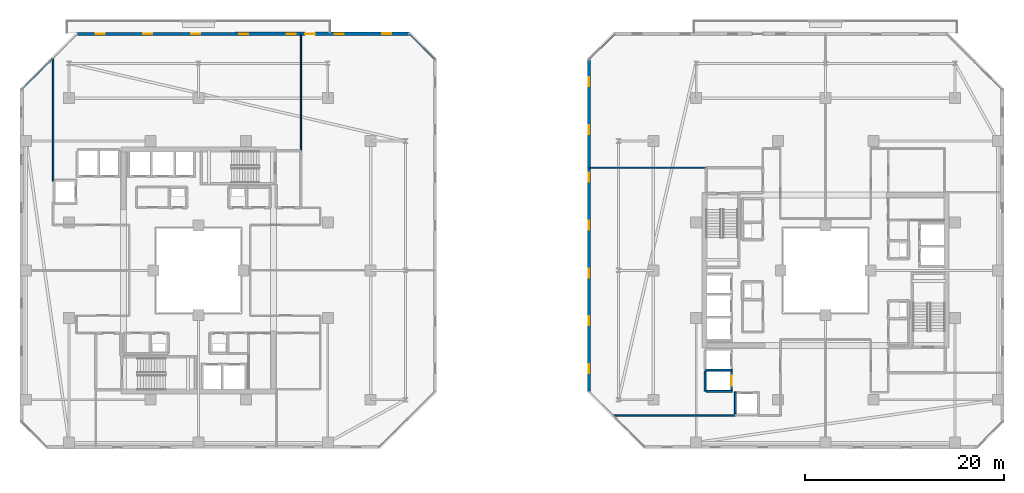
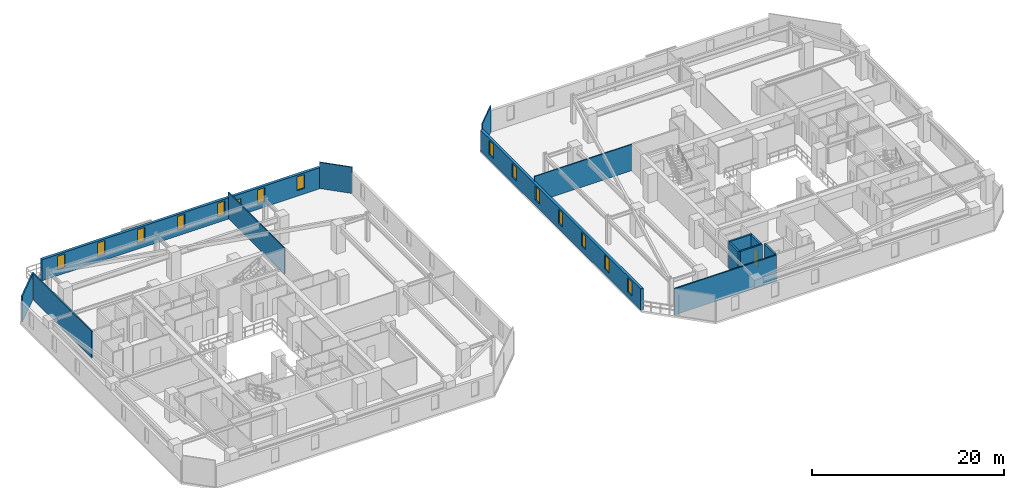
# One storey, part 22 of 32: 14 walls, 14 windows, 2 doors, 16 openings.
"""IFC4 building model written with IfcOpenShell, lengths in metres."""

from ifc_helpers import new_model, si_unit, direction, frame, frame_2d, origin, place, context, subcontext, project, spatial, rectangle, extrude, material, layer, layer_set, type_object, element, fill, save


model = new_model("IFC4")

# Units and contexts
model_context = context("Model", 3, precision=1e-05, world=origin(), true_north=direction((0.0, 1.0)))
body_context = subcontext(model_context, "Body", "Model", "MODEL_VIEW")
ifc_project = project(units=[si_unit("LENGTHUNIT", "METRE"), si_unit("AREAUNIT", "SQUARE_METRE"), si_unit("VOLUMEUNIT", "CUBIC_METRE"), si_unit("PLANEANGLEUNIT", "RADIAN"), si_unit("MASSUNIT", "GRAM", prefix="KILO")], contexts=[model_context])

# Site, building, storey
site_placement = place(None, origin())
site = spatial("IfcSite", under=ifc_project, at=site_placement, CompositionType="ELEMENT")
building_placement = place(site_placement, origin())
building = spatial("IfcBuilding", under=site, at=building_placement, Name="Thornwick Lancets Civic Towers", CompositionType="ELEMENT")
storey_placement = place(building_placement, frame((0.0, 0.0, 182.10009765625)))
storey = spatial("IfcBuildingStorey", under=building, at=storey_placement, Name="L48", CompositionType="ELEMENT", Elevation=182.10009765625)

# Wall, opening, door
ifc_material_1 = material(Name="Concrete blockwork C40/50", Category="masonry")
ifc_layer_1 = layer(ifc_material_1, 0.199951171875, Name="Concrete blockwork C40/50")
ifc_layer_set_1 = layer_set([ifc_layer_1], Name="Concrete blockwork C40/50")
wall_type_1 = type_object("IfcWallType", Name="WALL_COMP_200", PredefinedType="STANDARD", material=ifc_layer_set_1)
wall_1_placement = place(storey_placement, frame((79.050048828125, 15.030029296875, 0.0), z_axis=(0.0, 0.0, 1.0), x_axis=(0.0, 1.0, 0.0)))
wall_1 = element("IfcWall", 1, at=wall_1_placement, inside=storey, type_object=wall_type_1, Name="L48 Hoistway Front Wall PL-BM2", PredefinedType="STANDARD", context=body_context, shape_type="SweptSolid", body=[
    extrude(rectangle(XDim=1.7900390625, YDim=0.199951171875, at=frame_2d((0.89501953125, 0.0))), origin(), (0.0, 0.0, 1.0), 3.33984375),
])
opening_1_placement = place(wall_1_placement, frame((0.385009765625, 0.0, 0.0)))
opening_1 = element("IfcOpeningElement", 2, at=opening_1_placement, cuts=wall_1, Name="Opening LD-PL-BM2", PredefinedType="OPENING", context=body_context, shape_type="SweptSolid", body=[
    extrude(rectangle(XDim=1.02001953125, YDim=2.06005859375, at=frame_2d((0.510009765625, 1.030029296875))), frame((0.0, 0.10986328125, 0.0), z_axis=(0.0, -1.0, 0.0), x_axis=(1.0, 0.0, 0.0)), (0.0, 0.0, 1.0), 0.219970703125),
])
ifc_material_2 = material(Name="Brushed bronze stainless steel", Category="steel")
door_type_1 = type_object("IfcDoorType", Name="DOOR_LIFT_SLIDE", OperationType="SLIDING_TO_LEFT", PredefinedType="DOOR", material=ifc_material_2)
door_1_placement = place(opening_1_placement, origin())
door_1 = element("IfcDoor", 3, at=door_1_placement, inside=storey, type_object=door_type_1, Name="L48 Sliding Lift Landing Door LD-PL-BM2", OperationType="SLIDING_TO_LEFT", OverallHeight=2.06005859375, OverallWidth=1.02001953125, PredefinedType="DOOR", context=body_context, shape_type="SweptSolid", body=[
    extrude(rectangle(XDim=1.02001953125, YDim=2.06005859375, at=frame_2d((0.510009765625, 1.030029296875))), frame((0.0, 0.02490234375, 0.0), z_axis=(0.0, -1.0, 0.0), x_axis=(1.0, 0.0, 0.0)), (0.0, 0.0, 1.0), 0.050048828125),
])
fill(opening_1, door_1)

# Walls
wall_2_placement = place(storey_placement, frame((76.402099609375, 16.97509765625, 0.0), z_axis=(0.0, 0.0, 1.0), x_axis=(1.0, 0.0, 0.0)))
element("IfcWall", 4, at=wall_2_placement, inside=storey, type_object=wall_type_1, Name="L48 Hoistway Shaft Wall PL-BM1 S", PredefinedType="STANDARD", context=body_context, shape_type="SweptSolid", body=[
    extrude(rectangle(XDim=2.745849609375, YDim=0.199951171875, at=frame_2d((1.373046875, 0.0))), origin(), (0.0, 0.0, 1.0), 3.33984375),
])
wall_3_placement = place(storey_placement, frame((76.39990234375, 14.85205078125, 0.0), z_axis=(0.0, 0.0, 1.0), x_axis=(0.0, 1.0, 0.0)))
element("IfcWall", 5, at=wall_3_placement, inside=storey, type_object=wall_type_1, Name="L48 Hoistway Shaft Wall PL-BM1 W", PredefinedType="STANDARD", context=body_context, shape_type="SweptSolid", body=[
    extrude(rectangle(XDim=2.015869140625, YDim=0.199951171875, at=frame_2d((1.0078125, 0.0))), origin(), (0.0, 0.0, 1.0), 3.33984375),
])
wall_4_placement = place(storey_placement, frame((76.511962890625, 14.85009765625, 0.0), z_axis=(0.0, 0.0, 1.0), x_axis=(1.0, 0.0, 0.0)))
element("IfcWall", 6, at=wall_4_placement, inside=storey, type_object=wall_type_1, Name="L48 Hoistway Shaft Wall PL-BM2 S", PredefinedType="STANDARD", context=body_context, shape_type="SweptSolid", body=[
    extrude(rectangle(XDim=2.635986328125, YDim=0.199951171875, at=frame_2d((1.31787109375, 0.0))), origin(), (0.0, 0.0, 1.0), 3.33984375),
])
wall_5_placement = place(storey_placement, frame((79.449951171875, 12.612060546875, 0.0), z_axis=(0.0, 0.0, 1.0), x_axis=(0.0, 1.0, 0.0)))
element("IfcWall", 7, at=wall_5_placement, inside=storey, type_object=wall_type_1, Name="L48 Hoistway Shaft Wall PL-BM3 W", PredefinedType="STANDARD", context=body_context, shape_type="SweptSolid", body=[
    extrude(rectangle(XDim=2.18603515625, YDim=0.199951171875, at=frame_2d((1.093017578125, 0.0))), origin(), (0.0, 0.0, 1.0), 3.33984375),
])

# Wall, openings, door, windows
ifc_material_3 = material(Name="Insulated buff terracotta rainscreen on concrete C40/50", Category="masonry")
ifc_layer_2 = layer(ifc_material_3, 0.320068359375, Name="Insulated buff terracotta rainscreen on concrete C40/50")
ifc_layer_set_2 = layer_set([ifc_layer_2], Name="Insulated buff terracotta rainscreen on concrete C40/50")
wall_type_2 = type_object("IfcWallType", Name="WALL_EXT_TERRA_320", PredefinedType="STANDARD", material=ifc_layer_set_2)
wall_6_placement = place(storey_placement, frame((46.681396484375, 50.7646484375, 0.0), z_axis=(0.0, 0.0, 1.0), x_axis=(-0.999999954901, -0.000300328883, 0.0)))
wall_6 = element("IfcWall", 8, at=wall_6_placement, inside=storey, type_object=wall_type_2, Name="L48 Tower A Terracotta Facade Wall E4", PredefinedType="STANDARD", context=body_context, shape_type="SweptSolid", body=[
    extrude(rectangle(XDim=33.329345703125, YDim=0.320068359375, at=frame_2d((16.66455078125, 0.0))), origin(), (0.0, 0.0, 1.0), 2.699951171875),
])
opening_2_placement = place(wall_6_placement, frame((9.464599609375, 0.0, 0.0)))
opening_2 = element("IfcOpeningElement", 9, at=opening_2_placement, cuts=wall_6, Name="Opening D-BL-L48-AN", PredefinedType="OPENING", context=body_context, shape_type="SweptSolid", body=[
    extrude(rectangle(XDim=1.0, YDim=2.080078125, at=frame_2d((0.5, 1.0400390625))), frame((0.0, 0.169921875, 0.0), z_axis=(0.0, -1.0, 0.0), x_axis=(1.0, 0.0, 0.0)), (0.0, 0.0, 1.0), 0.340087890625),
])
opening_3_placement = place(wall_6_placement, frame((1.800048828125, 0.0, 0.719970703125)))
opening_3 = element("IfcOpeningElement", 10, at=opening_3_placement, cuts=wall_6, Name="Opening WL-01", PredefinedType="OPENING", context=body_context, shape_type="SweptSolid", body=[
    extrude(rectangle(XDim=0.89990234375, YDim=1.75, at=frame_2d((0.449951171875, 0.875))), frame((0.0, 0.169921875, 0.0), z_axis=(0.0, -1.0, 0.0), x_axis=(1.0, 0.0, 0.0)), (0.0, 0.0, 1.0), 0.340087890625),
])
opening_4_placement = place(wall_6_placement, frame((6.60009765625, 0.0, 0.719970703125)))
opening_4 = element("IfcOpeningElement", 11, at=opening_4_placement, cuts=wall_6, Name="Opening WL-01", PredefinedType="OPENING", context=body_context, shape_type="SweptSolid", body=[
    extrude(rectangle(XDim=0.89990234375, YDim=1.75, at=frame_2d((0.449951171875, 0.875))), frame((0.0, 0.169921875, 0.0), z_axis=(0.0, -1.0, 0.0), x_axis=(1.0, 0.0, 0.0)), (0.0, 0.0, 1.0), 0.340087890625),
])
opening_5_placement = place(wall_6_placement, frame((11.39990234375, 0.0, 0.719970703125)))
opening_5 = element("IfcOpeningElement", 12, at=opening_5_placement, cuts=wall_6, Name="Opening WL-01", PredefinedType="OPENING", context=body_context, shape_type="SweptSolid", body=[
    extrude(rectangle(XDim=0.89990234375, YDim=1.75, at=frame_2d((0.449951171875, 0.875))), frame((0.0, 0.169921875, 0.0), z_axis=(0.0, -1.0, 0.0), x_axis=(1.0, 0.0, 0.0)), (0.0, 0.0, 1.0), 0.340087890625),
])
opening_6_placement = place(wall_6_placement, frame((16.199951171875, 0.0, 0.719970703125)))
opening_6 = element("IfcOpeningElement", 13, at=opening_6_placement, cuts=wall_6, Name="Opening WL-01", PredefinedType="OPENING", context=body_context, shape_type="SweptSolid", body=[
    extrude(rectangle(XDim=0.89990234375, YDim=1.75, at=frame_2d((0.449951171875, 0.875))), frame((0.0, 0.169921875, 0.0), z_axis=(0.0, -1.0, 0.0), x_axis=(1.0, 0.0, 0.0)), (0.0, 0.0, 1.0), 0.340087890625),
])
opening_7_placement = place(wall_6_placement, frame((21.0, 0.0, 0.719970703125)))
opening_7 = element("IfcOpeningElement", 14, at=opening_7_placement, cuts=wall_6, Name="Opening WL-01", PredefinedType="OPENING", context=body_context, shape_type="SweptSolid", body=[
    extrude(rectangle(XDim=0.89990234375, YDim=1.75, at=frame_2d((0.449951171875, 0.875))), frame((0.0, 0.169921875, 0.0), z_axis=(0.0, -1.0, 0.0), x_axis=(1.0, 0.0, 0.0)), (0.0, 0.0, 1.0), 0.340087890625),
])
opening_8_placement = place(wall_6_placement, frame((25.800048828125, 0.0, 0.719970703125)))
opening_8 = element("IfcOpeningElement", 15, at=opening_8_placement, cuts=wall_6, Name="Opening WL-01", PredefinedType="OPENING", context=body_context, shape_type="SweptSolid", body=[
    extrude(rectangle(XDim=0.89990234375, YDim=1.75, at=frame_2d((0.449951171875, 0.875))), frame((0.0, 0.169921875, 0.0), z_axis=(0.0, -1.0, 0.0), x_axis=(1.0, 0.0, 0.0)), (0.0, 0.0, 1.0), 0.340087890625),
])
opening_9_placement = place(wall_6_placement, frame((30.60009765625, 0.0, 0.719970703125)))
opening_9 = element("IfcOpeningElement", 16, at=opening_9_placement, cuts=wall_6, Name="Opening WL-01", PredefinedType="OPENING", context=body_context, shape_type="SweptSolid", body=[
    extrude(rectangle(XDim=0.89990234375, YDim=1.75, at=frame_2d((0.449951171875, 0.875))), frame((0.0, 0.169921875, 0.0), z_axis=(0.0, -1.0, 0.0), x_axis=(1.0, 0.0, 0.0)), (0.0, 0.0, 1.0), 0.340087890625),
])
ifc_material_4 = material(Name="Thermally broken glazed loggia doorset")
door_type_2 = type_object("IfcDoorType", Name="DOOR_BALC_1000", OperationType="NOTDEFINED", PredefinedType="DOOR", material=ifc_material_4)
door_2_placement = place(opening_2_placement, origin())
door_2 = element("IfcDoor", 17, at=door_2_placement, inside=storey, type_object=door_type_2, Name="L48 Tower A Loggia Balcony Door N", OperationType="SINGLE_SWING_LEFT", OverallHeight=2.080078125, OverallWidth=1.0, PredefinedType="DOOR", context=body_context, shape_type="SweptSolid", body=[
    extrude(rectangle(XDim=1.0, YDim=2.080078125, at=frame_2d((0.5, 1.0400390625))), frame((0.0, 0.02490234375, 0.0), z_axis=(0.0, -1.0, 0.0), x_axis=(1.0, 0.0, 0.0)), (0.0, 0.0, 1.0), 0.050048828125),
])
fill(opening_2, door_2)
ifc_material_5 = material(Name="Clear low-e double glazing in bronze frame", Category="glass")
window_type = type_object("IfcWindowType", Name="WIN_LANCET_900", PartitioningType="SINGLE_PANEL", PredefinedType="WINDOW", material=ifc_material_5)
window_1_placement = place(opening_3_placement, origin())
window_1 = element("IfcWindow", 18, at=window_1_placement, inside=storey, type_object=window_type, Name="L48 Tower A Staggered Lancet Window E4-1", OverallHeight=1.75, OverallWidth=0.89990234375, PartitioningType="SINGLE_PANEL", PredefinedType="WINDOW", context=body_context, shape_type="SweptSolid", body=[
    extrude(rectangle(XDim=0.89990234375, YDim=1.75, at=frame_2d((0.449951171875, 0.875))), frame((0.0, 0.030029296875, 0.0), z_axis=(0.0, -1.0, 0.0), x_axis=(1.0, 0.0, 0.0)), (0.0, 0.0, 1.0), 0.06005859375),
])
fill(opening_3, window_1)
window_2_placement = place(opening_4_placement, origin())
window_2 = element("IfcWindow", 19, at=window_2_placement, inside=storey, type_object=window_type, Name="L48 Tower A Staggered Lancet Window E4-2", OverallHeight=1.75, OverallWidth=0.89990234375, PartitioningType="SINGLE_PANEL", PredefinedType="WINDOW", context=body_context, shape_type="SweptSolid", body=[
    extrude(rectangle(XDim=0.89990234375, YDim=1.75, at=frame_2d((0.449951171875, 0.875))), frame((0.0, 0.030029296875, 0.0), z_axis=(0.0, -1.0, 0.0), x_axis=(1.0, 0.0, 0.0)), (0.0, 0.0, 1.0), 0.06005859375),
])
fill(opening_4, window_2)
window_3_placement = place(opening_5_placement, origin())
window_3 = element("IfcWindow", 20, at=window_3_placement, inside=storey, type_object=window_type, Name="L48 Tower A Staggered Lancet Window E4-3", OverallHeight=1.75, OverallWidth=0.89990234375, PartitioningType="SINGLE_PANEL", PredefinedType="WINDOW", context=body_context, shape_type="SweptSolid", body=[
    extrude(rectangle(XDim=0.89990234375, YDim=1.75, at=frame_2d((0.449951171875, 0.875))), frame((0.0, 0.030029296875, 0.0), z_axis=(0.0, -1.0, 0.0), x_axis=(1.0, 0.0, 0.0)), (0.0, 0.0, 1.0), 0.06005859375),
])
fill(opening_5, window_3)
window_4_placement = place(opening_6_placement, origin())
window_4 = element("IfcWindow", 21, at=window_4_placement, inside=storey, type_object=window_type, Name="L48 Tower A Staggered Lancet Window E4-4", OverallHeight=1.75, OverallWidth=0.89990234375, PartitioningType="SINGLE_PANEL", PredefinedType="WINDOW", context=body_context, shape_type="SweptSolid", body=[
    extrude(rectangle(XDim=0.89990234375, YDim=1.75, at=frame_2d((0.449951171875, 0.875))), frame((0.0, 0.030029296875, 0.0), z_axis=(0.0, -1.0, 0.0), x_axis=(1.0, 0.0, 0.0)), (0.0, 0.0, 1.0), 0.06005859375),
])
fill(opening_6, window_4)
window_5_placement = place(opening_7_placement, origin())
window_5 = element("IfcWindow", 22, at=window_5_placement, inside=storey, type_object=window_type, Name="L48 Tower A Staggered Lancet Window E4-5", OverallHeight=1.75, OverallWidth=0.89990234375, PartitioningType="SINGLE_PANEL", PredefinedType="WINDOW", context=body_context, shape_type="SweptSolid", body=[
    extrude(rectangle(XDim=0.89990234375, YDim=1.75, at=frame_2d((0.449951171875, 0.875))), frame((0.0, 0.030029296875, 0.0), z_axis=(0.0, -1.0, 0.0), x_axis=(1.0, 0.0, 0.0)), (0.0, 0.0, 1.0), 0.06005859375),
])
fill(opening_7, window_5)
window_6_placement = place(opening_8_placement, origin())
window_6 = element("IfcWindow", 23, at=window_6_placement, inside=storey, type_object=window_type, Name="L48 Tower A Staggered Lancet Window E4-6", OverallHeight=1.75, OverallWidth=0.89990234375, PartitioningType="SINGLE_PANEL", PredefinedType="WINDOW", context=body_context, shape_type="SweptSolid", body=[
    extrude(rectangle(XDim=0.89990234375, YDim=1.75, at=frame_2d((0.449951171875, 0.875))), frame((0.0, 0.030029296875, 0.0), z_axis=(0.0, -1.0, 0.0), x_axis=(1.0, 0.0, 0.0)), (0.0, 0.0, 1.0), 0.06005859375),
])
fill(opening_8, window_6)
window_7_placement = place(opening_9_placement, origin())
window_7 = element("IfcWindow", 24, at=window_7_placement, inside=storey, type_object=window_type, Name="L48 Tower A Staggered Lancet Window E4-7", OverallHeight=1.75, OverallWidth=0.89990234375, PartitioningType="SINGLE_PANEL", PredefinedType="WINDOW", context=body_context, shape_type="SweptSolid", body=[
    extrude(rectangle(XDim=0.89990234375, YDim=1.75, at=frame_2d((0.449951171875, 0.875))), frame((0.0, 0.030029296875, 0.0), z_axis=(0.0, -1.0, 0.0), x_axis=(1.0, 0.0, 0.0)), (0.0, 0.0, 1.0), 0.06005859375),
])
fill(opening_9, window_7)

# Wall, openings, windows
wall_7_placement = place(storey_placement, frame((64.7353515625, 48.181396484375, 0.0), z_axis=(0.0, 0.0, 1.0), x_axis=(0.000300328883, -0.999999954901, 0.0)))
wall_7 = element("IfcWall", 25, at=wall_7_placement, inside=storey, type_object=wall_type_2, Name="L48 Tower B Terracotta Facade Wall E6", PredefinedType="STANDARD", context=body_context, shape_type="SweptSolid", body=[
    extrude(rectangle(XDim=33.329345703125, YDim=0.320068359375, at=frame_2d((16.66455078125, 0.0))), origin(), (0.0, 0.0, 1.0), 2.699951171875),
])
opening_10_placement = place(wall_7_placement, frame((1.800048828125, 0.0, 0.719970703125)))
opening_10 = element("IfcOpeningElement", 26, at=opening_10_placement, cuts=wall_7, Name="Opening WL-01", PredefinedType="OPENING", context=body_context, shape_type="SweptSolid", body=[
    extrude(rectangle(XDim=0.89990234375, YDim=1.75, at=frame_2d((0.449951171875, 0.875))), frame((0.0, 0.169921875, 0.0), z_axis=(0.0, -1.0, 0.0), x_axis=(1.0, 0.0, 0.0)), (0.0, 0.0, 1.0), 0.340087890625),
])
opening_11_placement = place(wall_7_placement, frame((6.60009765625, 0.0, 0.719970703125)))
opening_11 = element("IfcOpeningElement", 27, at=opening_11_placement, cuts=wall_7, Name="Opening WL-01", PredefinedType="OPENING", context=body_context, shape_type="SweptSolid", body=[
    extrude(rectangle(XDim=0.89990234375, YDim=1.75, at=frame_2d((0.449951171875, 0.875))), frame((0.0, 0.169921875, 0.0), z_axis=(0.0, -1.0, 0.0), x_axis=(1.0, 0.0, 0.0)), (0.0, 0.0, 1.0), 0.340087890625),
])
opening_12_placement = place(wall_7_placement, frame((11.39990234375, 0.0, 0.719970703125)))
opening_12 = element("IfcOpeningElement", 28, at=opening_12_placement, cuts=wall_7, Name="Opening WL-01", PredefinedType="OPENING", context=body_context, shape_type="SweptSolid", body=[
    extrude(rectangle(XDim=0.89990234375, YDim=1.75, at=frame_2d((0.449951171875, 0.875))), frame((0.0, 0.169921875, 0.0), z_axis=(0.0, -1.0, 0.0), x_axis=(1.0, 0.0, 0.0)), (0.0, 0.0, 1.0), 0.340087890625),
])
opening_13_placement = place(wall_7_placement, frame((16.199951171875, 0.0, 0.719970703125)))
opening_13 = element("IfcOpeningElement", 29, at=opening_13_placement, cuts=wall_7, Name="Opening WL-01", PredefinedType="OPENING", context=body_context, shape_type="SweptSolid", body=[
    extrude(rectangle(XDim=0.89990234375, YDim=1.75, at=frame_2d((0.449951171875, 0.875))), frame((0.0, 0.169921875, 0.0), z_axis=(0.0, -1.0, 0.0), x_axis=(1.0, 0.0, 0.0)), (0.0, 0.0, 1.0), 0.340087890625),
])
opening_14_placement = place(wall_7_placement, frame((21.0, 0.0, 0.719970703125)))
opening_14 = element("IfcOpeningElement", 30, at=opening_14_placement, cuts=wall_7, Name="Opening WL-01", PredefinedType="OPENING", context=body_context, shape_type="SweptSolid", body=[
    extrude(rectangle(XDim=0.89990234375, YDim=1.75, at=frame_2d((0.449951171875, 0.875))), frame((0.0, 0.169921875, 0.0), z_axis=(0.0, -1.0, 0.0), x_axis=(1.0, 0.0, 0.0)), (0.0, 0.0, 1.0), 0.340087890625),
])
opening_15_placement = place(wall_7_placement, frame((25.800048828125, 0.0, 0.719970703125)))
opening_15 = element("IfcOpeningElement", 31, at=opening_15_placement, cuts=wall_7, Name="Opening WL-01", PredefinedType="OPENING", context=body_context, shape_type="SweptSolid", body=[
    extrude(rectangle(XDim=0.89990234375, YDim=1.75, at=frame_2d((0.449951171875, 0.875))), frame((0.0, 0.169921875, 0.0), z_axis=(0.0, -1.0, 0.0), x_axis=(1.0, 0.0, 0.0)), (0.0, 0.0, 1.0), 0.340087890625),
])
opening_16_placement = place(wall_7_placement, frame((30.60009765625, 0.0, 0.719970703125)))
opening_16 = element("IfcOpeningElement", 32, at=opening_16_placement, cuts=wall_7, Name="Opening WL-01", PredefinedType="OPENING", context=body_context, shape_type="SweptSolid", body=[
    extrude(rectangle(XDim=0.89990234375, YDim=1.75, at=frame_2d((0.449951171875, 0.875))), frame((0.0, 0.169921875, 0.0), z_axis=(0.0, -1.0, 0.0), x_axis=(1.0, 0.0, 0.0)), (0.0, 0.0, 1.0), 0.340087890625),
])
window_8_placement = place(opening_10_placement, origin())
window_8 = element("IfcWindow", 33, at=window_8_placement, inside=storey, type_object=window_type, Name="L48 Tower B Staggered Lancet Window E6-1", OverallHeight=1.75, OverallWidth=0.89990234375, PartitioningType="SINGLE_PANEL", PredefinedType="WINDOW", context=body_context, shape_type="SweptSolid", body=[
    extrude(rectangle(XDim=0.89990234375, YDim=1.75, at=frame_2d((0.449951171875, 0.875))), frame((0.0, 0.030029296875, 0.0), z_axis=(0.0, -1.0, 0.0), x_axis=(1.0, 0.0, 0.0)), (0.0, 0.0, 1.0), 0.06005859375),
])
fill(opening_10, window_8)
window_9_placement = place(opening_11_placement, origin())
window_9 = element("IfcWindow", 34, at=window_9_placement, inside=storey, type_object=window_type, Name="L48 Tower B Staggered Lancet Window E6-2", OverallHeight=1.75, OverallWidth=0.89990234375, PartitioningType="SINGLE_PANEL", PredefinedType="WINDOW", context=body_context, shape_type="SweptSolid", body=[
    extrude(rectangle(XDim=0.89990234375, YDim=1.75, at=frame_2d((0.449951171875, 0.875))), frame((0.0, 0.030029296875, 0.0), z_axis=(0.0, -1.0, 0.0), x_axis=(1.0, 0.0, 0.0)), (0.0, 0.0, 1.0), 0.06005859375),
])
fill(opening_11, window_9)
window_10_placement = place(opening_12_placement, origin())
window_10 = element("IfcWindow", 35, at=window_10_placement, inside=storey, type_object=window_type, Name="L48 Tower B Staggered Lancet Window E6-3", OverallHeight=1.75, OverallWidth=0.89990234375, PartitioningType="SINGLE_PANEL", PredefinedType="WINDOW", context=body_context, shape_type="SweptSolid", body=[
    extrude(rectangle(XDim=0.89990234375, YDim=1.75, at=frame_2d((0.449951171875, 0.875))), frame((0.0, 0.030029296875, 0.0), z_axis=(0.0, -1.0, 0.0), x_axis=(1.0, 0.0, 0.0)), (0.0, 0.0, 1.0), 0.06005859375),
])
fill(opening_12, window_10)
window_11_placement = place(opening_13_placement, origin())
window_11 = element("IfcWindow", 36, at=window_11_placement, inside=storey, type_object=window_type, Name="L48 Tower B Staggered Lancet Window E6-4", OverallHeight=1.75, OverallWidth=0.89990234375, PartitioningType="SINGLE_PANEL", PredefinedType="WINDOW", context=body_context, shape_type="SweptSolid", body=[
    extrude(rectangle(XDim=0.89990234375, YDim=1.75, at=frame_2d((0.449951171875, 0.875))), frame((0.0, 0.030029296875, 0.0), z_axis=(0.0, -1.0, 0.0), x_axis=(1.0, 0.0, 0.0)), (0.0, 0.0, 1.0), 0.06005859375),
])
fill(opening_13, window_11)
window_12_placement = place(opening_14_placement, origin())
window_12 = element("IfcWindow", 37, at=window_12_placement, inside=storey, type_object=window_type, Name="L48 Tower B Staggered Lancet Window E6-5", OverallHeight=1.75, OverallWidth=0.89990234375, PartitioningType="SINGLE_PANEL", PredefinedType="WINDOW", context=body_context, shape_type="SweptSolid", body=[
    extrude(rectangle(XDim=0.89990234375, YDim=1.75, at=frame_2d((0.449951171875, 0.875))), frame((0.0, 0.030029296875, 0.0), z_axis=(0.0, -1.0, 0.0), x_axis=(1.0, 0.0, 0.0)), (0.0, 0.0, 1.0), 0.06005859375),
])
fill(opening_14, window_12)
window_13_placement = place(opening_15_placement, origin())
window_13 = element("IfcWindow", 38, at=window_13_placement, inside=storey, type_object=window_type, Name="L48 Tower B Staggered Lancet Window E6-6", OverallHeight=1.75, OverallWidth=0.89990234375, PartitioningType="SINGLE_PANEL", PredefinedType="WINDOW", context=body_context, shape_type="SweptSolid", body=[
    extrude(rectangle(XDim=0.89990234375, YDim=1.75, at=frame_2d((0.449951171875, 0.875))), frame((0.0, 0.030029296875, 0.0), z_axis=(0.0, -1.0, 0.0), x_axis=(1.0, 0.0, 0.0)), (0.0, 0.0, 1.0), 0.06005859375),
])
fill(opening_15, window_13)
window_14_placement = place(opening_16_placement, origin())
window_14 = element("IfcWindow", 39, at=window_14_placement, inside=storey, type_object=window_type, Name="L48 Tower B Staggered Lancet Window E6-7", OverallHeight=1.75, OverallWidth=0.89990234375, PartitioningType="SINGLE_PANEL", PredefinedType="WINDOW", context=body_context, shape_type="SweptSolid", body=[
    extrude(rectangle(XDim=0.89990234375, YDim=1.75, at=frame_2d((0.449951171875, 0.875))), frame((0.0, 0.030029296875, 0.0), z_axis=(0.0, -1.0, 0.0), x_axis=(1.0, 0.0, 0.0)), (0.0, 0.0, 1.0), 0.06005859375),
])
fill(opening_16, window_14)

# Walls
ifc_material_6 = material(Name="Acoustic gypsum board partition")
ifc_layer_3 = layer(ifc_material_6, 0.1201171875, Name="Acoustic gypsum board partition")
ifc_layer_set_3 = layer_set([ifc_layer_3], Name="Acoustic gypsum board partition")
wall_type_3 = type_object("IfcWallType", Name="WALL_PART_120", PredefinedType="PARTITIONING", material=ifc_layer_set_3)
wall_8_placement = place(storey_placement, frame((35.800048828125, 39.0, 0.0), z_axis=(0.0, 0.0, 1.0), x_axis=(0.0, 1.0, 0.0)))
element("IfcWall", 40, at=wall_8_placement, inside=storey, type_object=wall_type_3, Name="L48 Partition L48-A-E3 E6", PredefinedType="PARTITIONING", context=body_context, shape_type="SweptSolid", body=[
    extrude(rectangle(XDim=11.719970703125, YDim=0.1201171875, at=frame_2d((5.85986328125, 0.0))), origin(), (0.0, 0.0, 1.0), 3.33984375),
])
wall_9_placement = place(storey_placement, frame((46.725341796875, 50.719970703125, 0.0), z_axis=(0.0, 0.0, 1.0), x_axis=(0.707106781187, -0.707106781187, 0.0)))
element("IfcWall", 41, at=wall_9_placement, inside=storey, type_object=wall_type_3, Name="L48 Partition L48-A-E3 E8", PredefinedType="PARTITIONING", context=body_context, shape_type="SweptSolid", body=[
    extrude(rectangle(XDim=3.52783203125, YDim=0.1201171875, at=frame_2d((1.763916015625, 0.0))), origin(), (0.0, 0.0, 1.0), 3.33984375),
])
wall_10_placement = place(storey_placement, frame((76.5, 37.300048828125, 0.0), z_axis=(0.0, 0.0, 1.0), x_axis=(-1.0, 0.0, 0.0)))
element("IfcWall", 42, at=wall_10_placement, inside=storey, type_object=wall_type_3, Name="L48 Partition L48-B-E3 E6", PredefinedType="PARTITIONING", context=body_context, shape_type="SweptSolid", body=[
    extrude(rectangle(XDim=11.719970703125, YDim=0.1201171875, at=frame_2d((5.85986328125, 0.0))), origin(), (0.0, 0.0, 1.0), 3.33984375),
])
wall_11_placement = place(storey_placement, frame((64.780029296875, 48.225341796875, 0.0), z_axis=(0.0, 0.0, 1.0), x_axis=(0.707106781187, 0.707106781187, 0.0)))
element("IfcWall", 43, at=wall_11_placement, inside=storey, type_object=wall_type_3, Name="L48 Partition L48-B-E3 E8", PredefinedType="PARTITIONING", context=body_context, shape_type="SweptSolid", body=[
    extrude(rectangle(XDim=3.52783203125, YDim=0.1201171875, at=frame_2d((1.763916015625, 0.0))), origin(), (0.0, 0.0, 1.0), 3.33984375),
])
ifc_material_7 = material(Name="Twin-stud acoustic gypsum board")
ifc_layer_4 = layer(ifc_material_7, 0.14990234375, Name="Twin-stud acoustic gypsum board")
ifc_layer_set_4 = layer_set([ifc_layer_4], Name="Twin-stud acoustic gypsum board")
wall_type_4 = type_object("IfcWallType", Name="WALL_PART_150", PredefinedType="PARTITIONING", material=ifc_layer_set_4)
wall_12_placement = place(storey_placement, frame((7.780029296875, 45.179443359375, 0.0), z_axis=(0.0, 0.0, 1.0), x_axis=(0.707106781187, 0.707106781187, 0.0)))
element("IfcWall", 44, at=wall_12_placement, inside=storey, type_object=wall_type_4, Name="L48 Partition L48-A-W2 E5", PredefinedType="PARTITIONING", context=body_context, shape_type="SweptSolid", body=[
    extrude(rectangle(XDim=4.412109375, YDim=0.14990234375, at=frame_2d((2.2060546875, 0.0))), origin(), (0.0, 0.0, 1.0), 3.33984375),
])
wall_13_placement = place(storey_placement, frame((10.89990234375, 48.29931640625, 0.0), z_axis=(0.0, 0.0, 1.0), x_axis=(0.0, -1.0, 0.0)))
element("IfcWall", 45, at=wall_13_placement, inside=storey, type_object=wall_type_4, Name="L48 Partition L48-A-W2 E6", PredefinedType="PARTITIONING", context=body_context, shape_type="SweptSolid", body=[
    extrude(rectangle(XDim=12.361328125, YDim=0.14990234375, at=frame_2d((6.1806640625, 0.0))), origin(), (0.0, 0.0, 1.0), 3.33984375),
])
wall_14_placement = place(storey_placement, frame((67.20068359375, 12.39990234375, 0.0), z_axis=(0.0, 0.0, 1.0), x_axis=(1.0, 0.0, 0.0)))
element("IfcWall", 46, at=wall_14_placement, inside=storey, type_object=wall_type_4, Name="L48 Partition L48-B-W2 E6", PredefinedType="PARTITIONING", context=body_context, shape_type="SweptSolid", body=[
    extrude(rectangle(XDim=12.251220703125, YDim=0.14990234375, at=frame_2d((6.12548828125, 0.0))), origin(), (0.0, 0.0, 1.0), 3.33984375),
])

save(model, "model.ifc")
